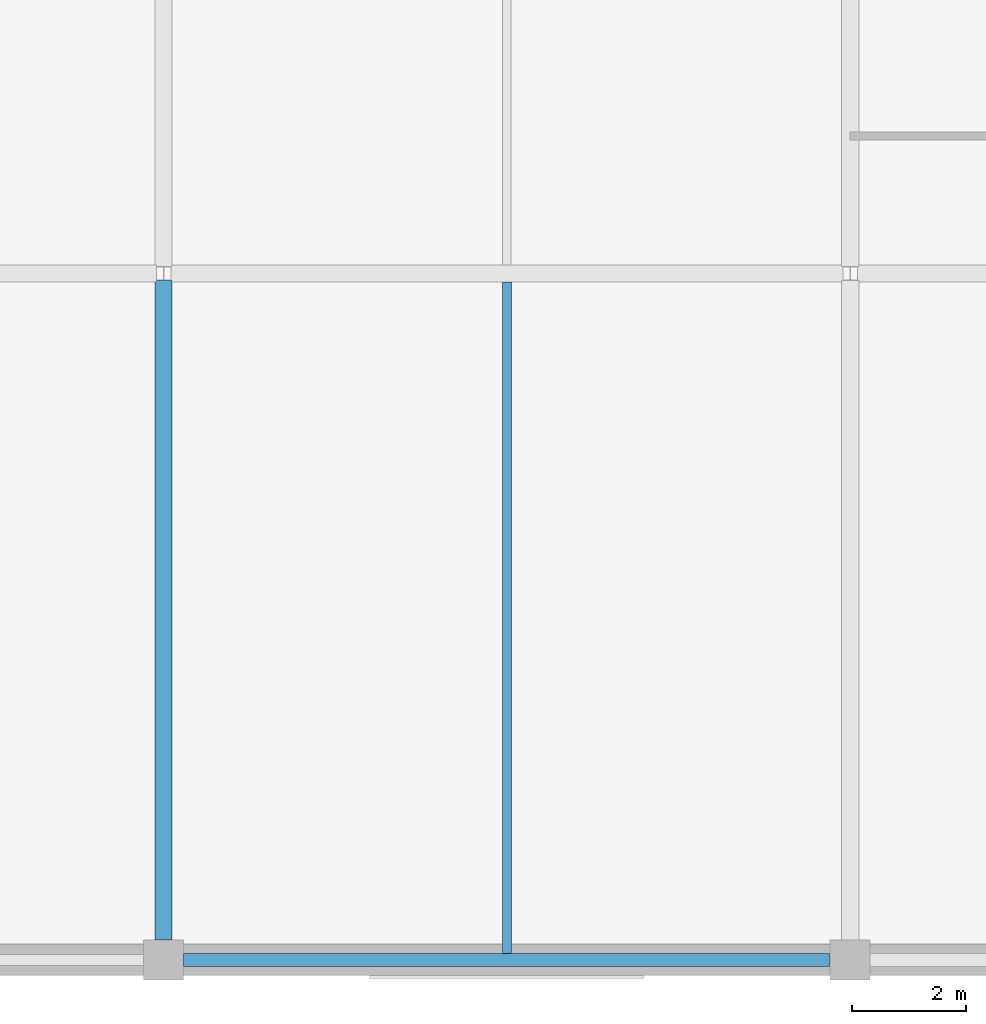
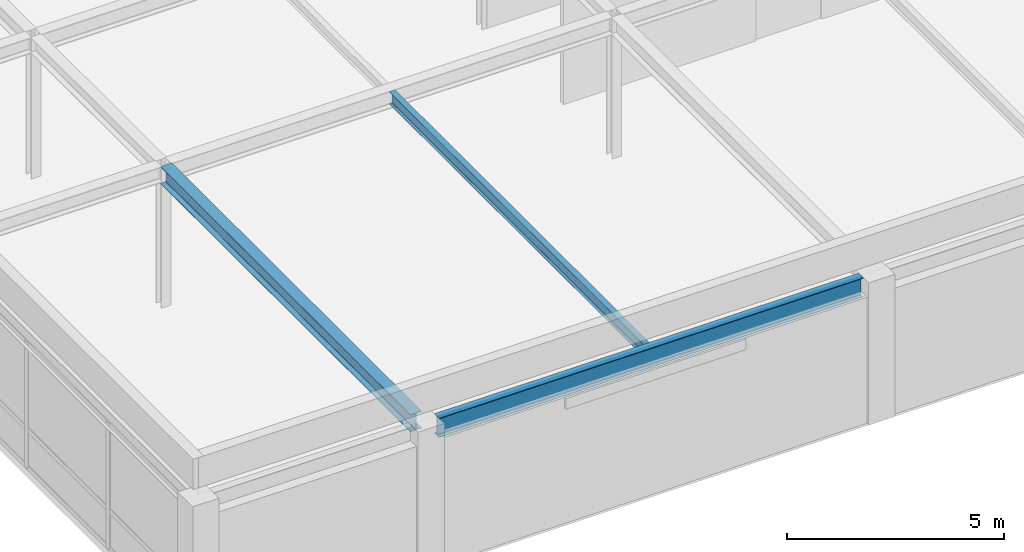
# One storey, part 60 of 111: 3 beams.
"""IFC4 building model written with IfcOpenShell, lengths in metres."""

from ifc_helpers import new_model, si_unit, direction, frame, origin, origin_2d, place, context, subcontext, project, spatial, i_section, extrude, material, material_profile, profile_set, type_object, element, save


model = new_model("IFC4")

# Units and contexts
model_context = context("Model", 3, precision=1e-05, world=origin(), true_north=direction((0.0, 1.0)))
body_context = subcontext(model_context, "Body", "Model", "MODEL_VIEW")
ifc_project = project(units=[si_unit("LENGTHUNIT", "METRE"), si_unit("AREAUNIT", "SQUARE_METRE"), si_unit("VOLUMEUNIT", "CUBIC_METRE"), si_unit("PLANEANGLEUNIT", "RADIAN"), si_unit("MASSUNIT", "GRAM", prefix="KILO")], contexts=[model_context])

# Site, building, storey
site_placement = place(None, origin())
site = spatial("IfcSite", under=ifc_project, at=site_placement, CompositionType="ELEMENT")
building_placement = place(site_placement, origin())
building = spatial("IfcBuilding", under=site, at=building_placement, Name="Zlatovratsky Civic Hall", CompositionType="ELEMENT")
storey_placement = place(building_placement, frame((0.0, 0.0, 16.5)))
storey = spatial("IfcBuildingStorey", under=building, at=storey_placement, Name="L04", CompositionType="ELEMENT", Elevation=16.5)

# Beams
ifc_material = material(Name="Steel S355", Category="steel")
ifc_material_profile_1 = material_profile(ifc_material, i_section(OverallWidth=0.300048828125, OverallDepth=0.487060546875, WebThickness=0.014404296875, FlangeThickness=0.017578125, FilletRadius=0.02392578125, at=origin_2d()), Name="50Sh2")
ifc_profile_set_1 = profile_set([ifc_material_profile_1], Name="Steel S355")
beam_type_1 = type_object("IfcBeamType", Name="Beam_ArchiveGirder_50Sh2", PredefinedType="BEAM", material=ifc_profile_set_1)
beam_1_placement = place(storey_placement, frame((120.0, 0.35009765625, 3.756591796875), z_axis=(0.0, 1.0, 0.0), x_axis=(-1.0, 0.0, 0.0)))
element("IfcBeam", 1, at=beam_1_placement, inside=storey, type_object=beam_type_1, Name="BM-3739", PredefinedType="BEAM", context=body_context, shape_type="SweptSolid", body=[
    extrude(i_section(OverallWidth=0.300048828125, OverallDepth=0.487060546875, WebThickness=0.014404296875, FlangeThickness=0.017578125, FilletRadius=0.02392578125, at=origin_2d()), origin(), (0.0, 0.0, 1.0), 11.52490234375),
])
ifc_material_profile_2 = material_profile(ifc_material, i_section(OverallWidth=0.219970703125, OverallDepth=0.54296875, WebThickness=0.009521484375, FlangeThickness=0.013427734375, FilletRadius=0.01806640625, at=origin_2d()), Name="55B1")
ifc_profile_set_2 = profile_set([ifc_material_profile_2], Name="Steel S355")
beam_type_2 = type_object("IfcBeamType", Name="Beam_Spandrel_55B1", PredefinedType="SPANDREL", material=ifc_profile_set_2)
beam_2_placement = place(storey_placement, frame((120.35009765625, 0.0, 3.728515625), z_axis=(1.0, 0.0, 0.0), x_axis=(0.0, 1.0, 0.0)))
element("IfcBeam", 2, at=beam_2_placement, inside=storey, type_object=beam_type_2, Name="BM-3207", PredefinedType="SPANDREL", context=body_context, shape_type="SweptSolid", body=[
    extrude(i_section(OverallWidth=0.219970703125, OverallDepth=0.54296875, WebThickness=0.009521484375, FlangeThickness=0.013427734375, FilletRadius=0.01806640625, at=origin_2d()), origin(), (0.0, 0.0, 1.0), 11.2998046875),
])
ifc_material_profile_3 = material_profile(ifc_material, i_section(OverallWidth=0.155029296875, OverallDepth=0.345947265625, WebThickness=0.006103515625, FlangeThickness=0.008544921875, FilletRadius=0.013916015625, at=origin_2d()), Name="35B1")
ifc_profile_set_3 = profile_set([ifc_material_profile_3], Name="Steel S355")
beam_type_3 = type_object("IfcBeamType", Name="Joist_Podium_35B1", PredefinedType="JOIST", material=ifc_profile_set_3)
beam_3_placement = place(storey_placement, frame((126.0, 0.110107421875, 3.826904296875), z_axis=(0.0, 1.0, 0.0), x_axis=(-1.0, 0.0, 0.0)))
element("IfcBeam", 3, at=beam_3_placement, inside=storey, type_object=beam_type_3, Name="BM-3832", PredefinedType="JOIST", context=body_context, shape_type="SweptSolid", body=[
    extrude(i_section(OverallWidth=0.155029296875, OverallDepth=0.345947265625, WebThickness=0.006103515625, FlangeThickness=0.008544921875, FilletRadius=0.013916015625, at=origin_2d()), origin(), (0.0, 0.0, 1.0), 11.739990234375),
])

save(model, "model.ifc")
